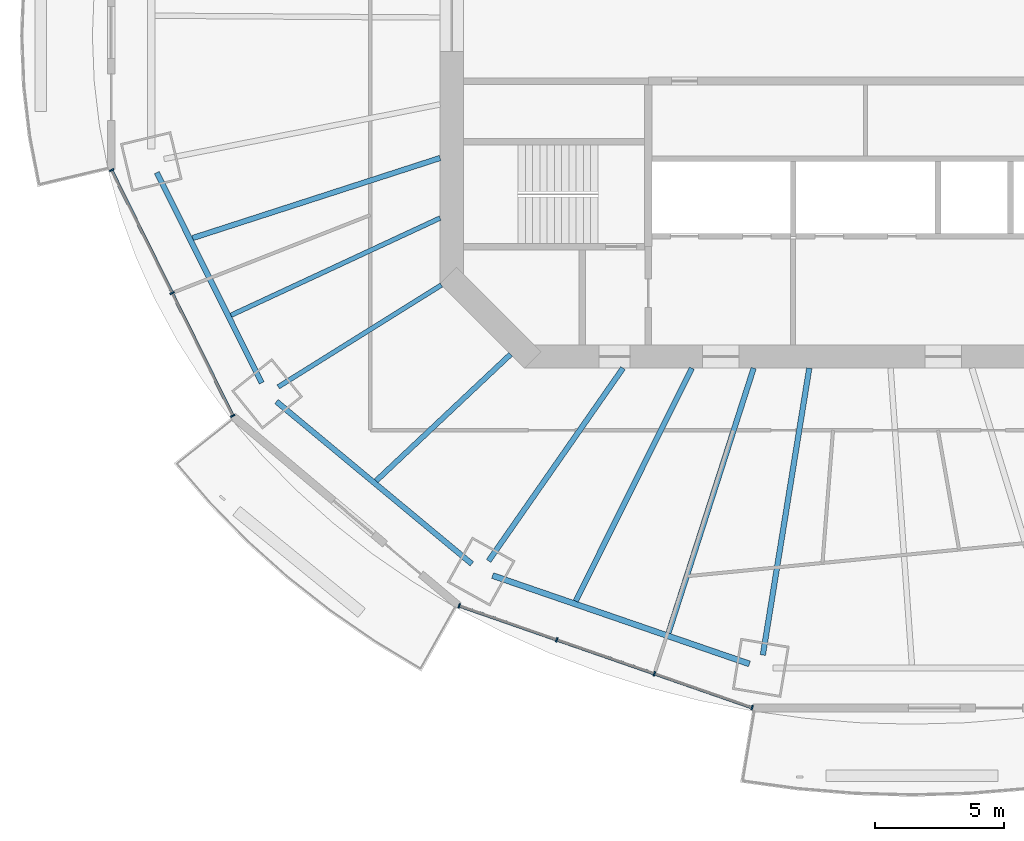
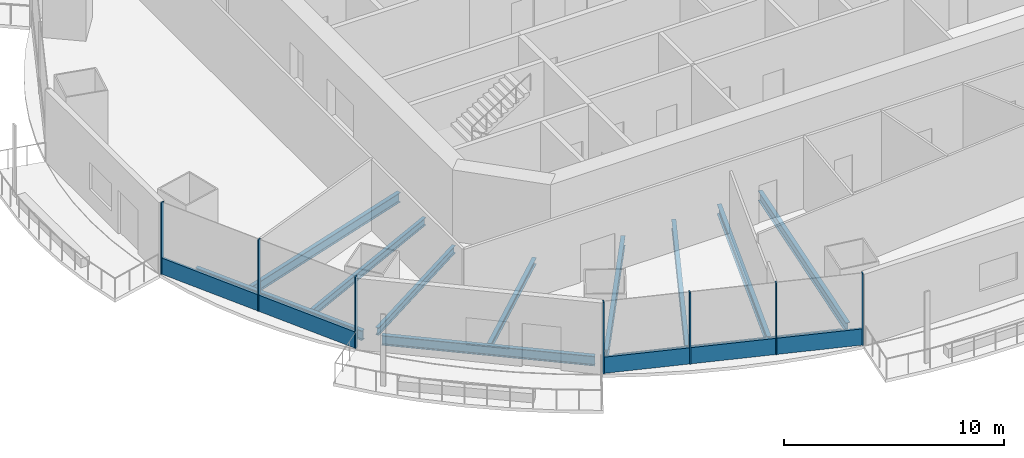
# One storey, part 2 of 21: 11 beams, 9 members, 2 elements without a shape of their own.
"""IFC4 building model written with IfcOpenShell, lengths in metres."""

import ifcopenshell
import ifcopenshell.guid

model = None  # the IFC model being written
_history = None  # IfcOwnerHistory: only IFC2X3 demands one
_inside = {}  # id of a spatial element -> (the spatial element, [elements in it])
_under = {}  # id of a project, library or spatial element -> (it, [spatial elements below it])
_declared = {}  # id of a project -> (the project, [libraries it declares])
_typed = {}  # id of a type object -> (the type object, [elements of that type])
_made_of = {}  # id of a material, layer set ... -> (it, [elements and type objects made of it])


def new_model(schema):
    """Start an empty IFC model of exactly this schema.

    Asked for "IFC4X3", IfcOpenShell would pick the latest addendum, in which some entities
    have other attributes; the version numbers below select the first issue.
    IFC2X3 requires an IfcOwnerHistory on every rooted entity: one is made here for all.
    """
    global model, _history
    if schema == "IFC4X3":
        model = ifcopenshell.file(schema_version=(4, 3, 0, 0))
    else:
        model = ifcopenshell.file(schema=schema)
    _inside.clear()
    _under.clear()
    _declared.clear()
    _typed.clear()
    _made_of.clear()
    _history = None
    if model.schema == "IFC2X3":
        org = make("IfcOrganization", Name="unknown")
        user = make(
            "IfcPersonAndOrganization",
            ThePerson=make("IfcPerson", FamilyName="unknown"),
            TheOrganization=org,
        )
        app = make(
            "IfcApplication",
            ApplicationDeveloper=org,
            Version="unknown",
            ApplicationFullName="unknown",
            ApplicationIdentifier="unknown",
        )
        _history = make(
            "IfcOwnerHistory",
            OwningUser=user,
            OwningApplication=app,
            ChangeAction="ADDED",
            CreationDate=0,
        )
    return model


def make(cls, **values):
    """One entity of the class cls with the attributes given. An attribute that is None is left unset."""
    return model.create_entity(
        cls, **{name: value for name, value in values.items() if value is not None}
    )


def rooted(cls, **values):
    """An entity with a GlobalId (a new one), such as an element, a storey or a relation."""
    return make(cls, GlobalId=ifcopenshell.guid.new(), OwnerHistory=_history, **values)


def si_unit(unit_type, name, prefix=None):
    """IfcSIUnit, for example si_unit("LENGTHUNIT", "METRE", prefix="MILLI")."""
    return make("IfcSIUnit", UnitType=unit_type, Prefix=prefix, Name=name)


def assignment(units):
    """IfcUnitAssignment: the units of a project."""
    return None if units is None else make("IfcUnitAssignment", Units=units)


def point(xyz):
    """IfcCartesianPoint."""
    return None if xyz is None else make("IfcCartesianPoint", Coordinates=xyz)


def direction(xyz):
    """IfcDirection."""
    return None if xyz is None else make("IfcDirection", DirectionRatios=xyz)


def frame(location, z_axis=None, x_axis=None):
    """IfcAxis2Placement3D, a coordinate frame: its origin and axes. An axis left out is left unset."""
    return make(
        "IfcAxis2Placement3D",
        Location=point(location),
        Axis=direction(z_axis),
        RefDirection=direction(x_axis),
    )


def frame_2d(location, x_axis=None):
    """IfcAxis2Placement2D, a coordinate frame in the plane: its origin and x axis."""
    return make(
        "IfcAxis2Placement2D", Location=point(location), RefDirection=direction(x_axis)
    )


def origin():
    """The frame at (0, 0, 0) with its axes left unset."""
    return frame((0.0, 0.0, 0.0))


def origin_2d():
    """The frame at (0, 0) in the plane with its x axis left unset."""
    return frame_2d((0.0, 0.0))


def place(relative_to, where):
    """IfcLocalPlacement: puts the frame where relative to a parent placement (None: the world)."""
    return make(
        "IfcLocalPlacement", PlacementRelTo=relative_to, RelativePlacement=where
    )


def context(
    kind, dimensions, precision=None, world=None, true_north=None, identifier=None
):
    """IfcGeometricRepresentationContext, for example the 3D "Model" context."""
    return make(
        "IfcGeometricRepresentationContext",
        ContextIdentifier=identifier,
        ContextType=kind,
        CoordinateSpaceDimension=dimensions,
        Precision=precision,
        WorldCoordinateSystem=world,
        TrueNorth=true_north,
    )


def subcontext(parent, identifier, kind, view, scale=None):
    """IfcGeometricRepresentationSubContext, for example "Body" below "Model"."""
    return make(
        "IfcGeometricRepresentationSubContext",
        ContextIdentifier=identifier,
        ContextType=kind,
        ParentContext=parent,
        TargetScale=scale,
        TargetView=view,
    )


def project(units=None, contexts=None):
    """IfcProject with its units and contexts."""
    return rooted(
        "IfcProject",
        Name="project",
        RepresentationContexts=contexts,
        UnitsInContext=assignment(units),
    )


def spatial(cls, under=None, at=None, **own):
    """A site, building, storey or space (cls), placed at a placement, below another one or the project."""
    s = rooted(cls, ObjectPlacement=at, **own)
    if under is not None:
        _under.setdefault(under.id(), (under, []))[1].append(s)
    return s


def profile(cls, at=None, kind="AREA", **sizes):
    """A parametric profile (cls). Its sizes go by their IFC names, for example OverallWidth=200.0."""
    return make(cls, ProfileType=kind, Position=at, **sizes)


def rectangle(**sizes):
    """IfcRectangleProfileDef."""
    return profile("IfcRectangleProfileDef", **sizes)


def i_section(**sizes):
    """IfcIShapeProfileDef."""
    return profile("IfcIShapeProfileDef", **sizes)


def extrude(swept, where, along, depth):
    """IfcExtrudedAreaSolid: the profile swept, set in the frame where, extruded along a direction by depth."""
    return make(
        "IfcExtrudedAreaSolid",
        SweptArea=swept,
        Position=where,
        ExtrudedDirection=direction(along),
        Depth=depth,
    )


def shape(context_of_items, identifier, shape_type, items):
    """IfcShapeRepresentation: the items that make up one representation, for example the "Body"."""
    return make(
        "IfcShapeRepresentation",
        ContextOfItems=context_of_items,
        RepresentationIdentifier=identifier,
        RepresentationType=shape_type,
        Items=items,
    )


def material(Name=None, Category=None):
    """IfcMaterial."""
    return make("IfcMaterial", Name=Name, Category=Category)


def material_profile(
    of_material, cross_section, Name=None, Category=None, Priority=None
):
    """IfcMaterialProfile: a cross section and its material."""
    return make(
        "IfcMaterialProfile",
        Name=Name,
        Material=of_material,
        Profile=cross_section,
        Priority=Priority,
        Category=Category,
    )


def profile_set(profiles, Name=None, composite=None):
    """IfcMaterialProfileSet."""
    return make(
        "IfcMaterialProfileSet",
        Name=Name,
        MaterialProfiles=profiles,
        CompositeProfile=composite,
    )


def made_of(thing, what):
    """Note that an element or type object is made of a material, layer set ...; save() writes the relation."""
    if what is not None:
        _made_of.setdefault(what.id(), (what, []))[1].append(thing)
    return thing


def type_object(cls, material=None, **own):
    """A type object (cls), such as IfcWallType, which elements share."""
    return made_of(rooted(cls, **own), material)


def element(
    cls,
    number,
    at=None,
    inside=None,
    cuts=None,
    type_object=None,
    material=None,
    context=None,
    identifier="Body",
    shape_type=None,
    held_by="IfcProductDefinitionShape",
    body=None,
    shapes=None,
    **own,
):
    """One element of the class cls, such as IfcWall. Its Tag is "e" and its number.

    at: its placement. inside: the storey or other place that contains it. cuts: it is an
    opening in that element (IfcRelVoidsElement). A single representation is given by context,
    identifier, shape_type and body (its items); several are given by shapes. held_by: the class
    of the entity that holds the representations. save() writes the other relations.
    """
    e = rooted(cls, Tag="e%d" % number, ObjectPlacement=at, **own)
    if body is not None:
        shapes = [shape(context, identifier, shape_type, body)]
    if shapes is not None:
        e.Representation = make(held_by, Representations=shapes)
    if inside is not None:
        _inside.setdefault(inside.id(), (inside, []))[1].append(e)
    if cuts is not None:
        rooted(
            "IfcRelVoidsElement", RelatingBuildingElement=cuts, RelatedOpeningElement=e
        )
    if type_object is not None:
        _typed.setdefault(type_object.id(), (type_object, []))[1].append(e)
    return made_of(e, material)


def aggregate(whole, parts):
    """IfcRelAggregates: a whole, such as a stair, and the parts it consists of."""
    return rooted("IfcRelAggregates", RelatingObject=whole, RelatedObjects=parts)


def save(model, path):
    """Write the relations noted so far, then the file.

    IfcRelAggregates (storeys below a building ...), IfcRelContainedInSpatialStructure (elements
    in a storey), IfcRelDefinesByType, IfcRelAssociatesMaterial and IfcRelDeclares: one each for
    every whole, place, type object, material and project.
    """
    for whole, parts in _under.values():
        aggregate(whole, parts)
    for where, things in _inside.values():
        rooted(
            "IfcRelContainedInSpatialStructure",
            RelatedElements=things,
            RelatingStructure=where,
        )
    for kind, things in _typed.values():
        rooted("IfcRelDefinesByType", RelatedObjects=things, RelatingType=kind)
    for what, things in _made_of.values():
        rooted("IfcRelAssociatesMaterial", RelatedObjects=things, RelatingMaterial=what)
    for by, libraries in _declared.values():
        rooted("IfcRelDeclares", RelatingContext=by, RelatedDefinitions=libraries)
    model.write(path)


model = new_model("IFC4")

# Units and contexts
model_context = context("Model", 3, precision=1e-05, world=origin(), true_north=direction((0.0, 1.0)))
body_context = subcontext(model_context, "Body", "Model", "MODEL_VIEW")
ifc_project = project(units=[si_unit("LENGTHUNIT", "METRE"), si_unit("AREAUNIT", "SQUARE_METRE"), si_unit("VOLUMEUNIT", "CUBIC_METRE"), si_unit("PLANEANGLEUNIT", "RADIAN"), si_unit("MASSUNIT", "GRAM", prefix="KILO")], contexts=[model_context])

# Site, building, storey
site_placement = place(None, origin())
site = spatial("IfcSite", under=ifc_project, at=site_placement, CompositionType="ELEMENT")
building_placement = place(site_placement, origin())
building = spatial("IfcBuilding", under=site, at=building_placement, Name="Marenthal Gate Tower", CompositionType="ELEMENT")
storey_placement = place(building_placement, frame((0.0, 0.0, 198.39990234375)))
storey = spatial("IfcBuildingStorey", under=building, at=storey_placement, Name="L43", CompositionType="ELEMENT", Elevation=198.39990234375)

# Curtain wall, members
ifc_material_1 = material(Name="Aluminium and glass", Category="aluminium")
curtain_wall_type = type_object("IfcCurtainWallType", Name="Curtain wall typical mid", PredefinedType="NOTDEFINED", material=ifc_material_1)
curtain_wall_1_placement = place(storey_placement, origin())
curtain_wall_1 = element("IfcCurtainWall", 1, at=curtain_wall_1_placement, inside=storey, type_object=curtain_wall_type, Name="Curtain wall L43 bay 9", PredefinedType="NOTDEFINED")
ifc_material_2 = material(Name="Aluminium", Category="aluminium")
ifc_material_profile_1 = material_profile(ifc_material_2, rectangle(XDim=0.179931640625, YDim=0.06005859375, at=origin_2d()), Name="60x180 aluminium mullion")
ifc_profile_set_1 = profile_set([ifc_material_profile_1], Name="Aluminium")
member_type_1 = type_object("IfcMemberType", Name="Mullion 60x180 typical mid", PredefinedType="MULLION", material=ifc_profile_set_1)
member_1_placement = place(storey_placement, frame((-29.152099609375, -5.7958984375, 0.0), z_axis=(0.0, 0.0, 1.0), x_axis=(0.896715617309, 0.442607164057, 0.0)))
member_1 = element("IfcMember", 2, at=member_1_placement, type_object=member_type_1, Name="Mullion L43 bay 9.1", PredefinedType="MULLION", context=body_context, shape_type="SweptSolid", body=[
    extrude(rectangle(XDim=0.179931640625, YDim=0.06005859375, at=origin_2d()), origin(), (0.0, 0.0, 1.0), 3.97021484375),
])
member_2_placement = place(storey_placement, frame((-26.808349609375, -10.54443359375, 0.0), z_axis=(0.0, 0.0, 1.0), x_axis=(0.896715617309, 0.442607164057, 0.0)))
member_2 = element("IfcMember", 3, at=member_2_placement, type_object=member_type_1, Name="Mullion L43 bay 9.2", PredefinedType="MULLION", context=body_context, shape_type="SweptSolid", body=[
    extrude(rectangle(XDim=0.179931640625, YDim=0.06005859375, at=origin_2d()), origin(), (0.0, 0.0, 1.0), 3.97021484375),
])
member_3_placement = place(storey_placement, frame((-24.46435546875, -15.29296875, 0.0), z_axis=(0.0, 0.0, 1.0), x_axis=(0.896715617309, 0.442607164057, 0.0)))
member_3 = element("IfcMember", 4, at=member_3_placement, type_object=member_type_1, Name="Mullion L43 bay 9.3", PredefinedType="MULLION", context=body_context, shape_type="SweptSolid", body=[
    extrude(rectangle(XDim=0.179931640625, YDim=0.06005859375, at=origin_2d()), origin(), (0.0, 0.0, 1.0), 3.97021484375),
])

curtain_wall_2_placement = place(storey_placement, origin())
curtain_wall_2 = element("IfcCurtainWall", 5, at=curtain_wall_2_placement, inside=storey, type_object=curtain_wall_type, Name="Curtain wall L43 bay 11", PredefinedType="NOTDEFINED")
member_4_placement = place(storey_placement, frame((-15.712158203125, -22.6396484375, 0.0), z_axis=(0.0, 0.0, 1.0), x_axis=(0.328332307555, 0.944562277362, 0.0)))
member_4 = element("IfcMember", 6, at=member_4_placement, type_object=member_type_1, Name="Mullion L43 bay 11.1", PredefinedType="MULLION", context=body_context, shape_type="SweptSolid", body=[
    extrude(rectangle(XDim=0.179931640625, YDim=0.06005859375, at=origin_2d()), origin(), (0.0, 0.0, 1.0), 3.97021484375),
])
member_5_placement = place(storey_placement, frame((-11.937255859375, -23.951904296875, 0.0), z_axis=(0.0, 0.0, 1.0), x_axis=(0.328332307555, 0.944562277362, 0.0)))
member_5 = element("IfcMember", 7, at=member_5_placement, type_object=member_type_1, Name="Mullion L43 bay 11.2", PredefinedType="MULLION", context=body_context, shape_type="SweptSolid", body=[
    extrude(rectangle(XDim=0.179931640625, YDim=0.06005859375, at=origin_2d()), origin(), (0.0, 0.0, 1.0), 3.97021484375),
])
member_6_placement = place(storey_placement, frame((-8.16259765625, -25.263916015625, 0.0), z_axis=(0.0, 0.0, 1.0), x_axis=(0.328332307555, 0.944562277362, 0.0)))
member_6 = element("IfcMember", 8, at=member_6_placement, type_object=member_type_1, Name="Mullion L43 bay 11.3", PredefinedType="MULLION", context=body_context, shape_type="SweptSolid", body=[
    extrude(rectangle(XDim=0.179931640625, YDim=0.06005859375, at=origin_2d()), origin(), (0.0, 0.0, 1.0), 3.97021484375),
])
member_7_placement = place(storey_placement, frame((-4.3876953125, -26.576171875, 0.0), z_axis=(0.0, 0.0, 1.0), x_axis=(0.328332307555, 0.944562277362, 0.0)))
member_7 = element("IfcMember", 9, at=member_7_placement, type_object=member_type_1, Name="Mullion L43 bay 11.4", PredefinedType="MULLION", context=body_context, shape_type="SweptSolid", body=[
    extrude(rectangle(XDim=0.179931640625, YDim=0.06005859375, at=origin_2d()), origin(), (0.0, 0.0, 1.0), 3.97021484375),
])

# Member
ifc_material_3 = material(Name="Aluminium", Category="aluminium")
ifc_material_profile_2 = material_profile(ifc_material_3, rectangle(XDim=0.1201171875, YDim=0.89990234375, at=origin_2d()), Name="120x900 aluminium transom")
ifc_profile_set_2 = profile_set([ifc_material_profile_2], Name="Aluminium")
member_type_2 = type_object("IfcMemberType", Name="Transom 120x900 typical mid", PredefinedType="USERDEFINED", material=ifc_profile_set_2)
member_8_placement = place(storey_placement, frame((-29.138916015625, -5.82275390625, 0.4501953125), z_axis=(0.442608192254, -0.896715109804, 0.0), x_axis=(0.896715109804, 0.442608192254, 0.0)))
member_8 = element("IfcMember", 10, at=member_8_placement, type_object=member_type_2, Name="Transom L43 bay 9", ObjectType="TRANSOM", PredefinedType="USERDEFINED", context=body_context, shape_type="SweptSolid", body=[
    extrude(rectangle(XDim=0.1201171875, YDim=0.89990234375, at=origin_2d()), origin(), (0.0, 0.0, 1.0), 10.531005859375),
])

aggregate(curtain_wall_1, [member_1, member_2, member_3, member_8])

member_9_placement = place(storey_placement, frame((-15.683837890625, -22.6494140625, 0.4501953125), z_axis=(0.944561661675, -0.328334078787, 0.0), x_axis=(0.328334078787, 0.944561661675, 0.0)))
member_9 = element("IfcMember", 11, at=member_9_placement, type_object=member_type_2, Name="Transom L43 bay 11", ObjectType="TRANSOM", PredefinedType="USERDEFINED", context=body_context, shape_type="SweptSolid", body=[
    extrude(rectangle(XDim=0.1201171875, YDim=0.89990234375, at=origin_2d()), origin(), (0.0, 0.0, 1.0), 11.92919921875),
])

aggregate(curtain_wall_2, [member_4, member_5, member_6, member_7, member_9])

# Beams
ifc_material_4 = material(Name="Steel S355", Category="steel")
ifc_material_profile_3 = material_profile(ifc_material_4, i_section(OverallWidth=0.205078125, OverallDepth=0.35302734375, WebThickness=0.009521484375, FlangeThickness=0.016845703125, FilletRadius=0.014892578125, at=origin_2d()), Name="W360X79")
ifc_profile_set_3 = profile_set([ifc_material_profile_3], Name="Steel S355")
beam_type_1 = type_object("IfcBeamType", Name="W360X79 beam", PredefinedType="BEAM", material=ifc_profile_set_3)
beam_1_placement = place(storey_placement, frame((-18.92236328125, -17.805908203125, -0.3564453125), z_axis=(0.728272270836, 0.685287895363, 0.0), x_axis=(-0.685287895363, 0.728272270836, 0.0)))
element("IfcBeam", 12, at=beam_1_placement, inside=storey, type_object=beam_type_1, Name="BM-L43-31", PredefinedType="BEAM", context=body_context, shape_type="SweptSolid", body=[
    extrude(i_section(OverallWidth=0.205078125, OverallDepth=0.35302734375, WebThickness=0.009521484375, FlangeThickness=0.016845703125, FilletRadius=0.014892578125, at=origin_2d()), origin(), (0.0, 0.0, 1.0), 7.139404296875),
])
ifc_material_5 = material(Name="Steel S355", Category="steel")
ifc_material_profile_4 = material_profile(ifc_material_5, i_section(OverallWidth=0.180908203125, OverallDepth=0.4169921875, WebThickness=0.010986328125, FlangeThickness=0.018310546875, FilletRadius=0.01025390625, at=origin_2d()), Name="W410X85")
ifc_profile_set_4 = profile_set([ifc_material_profile_4], Name="Steel S355")
beam_type_2 = type_object("IfcBeamType", Name="W410X85 beam", PredefinedType="BEAM", material=ifc_profile_set_4)
beam_2_placement = place(storey_placement, frame((-22.707275390625, -14.17333984375, -0.388427734375), z_axis=(0.848320973647, 0.529482318562, 0.0), x_axis=(-0.529482318562, 0.848320973647, 0.0)))
element("IfcBeam", 13, at=beam_2_placement, inside=storey, type_object=beam_type_2, Name="BM-L43-10", PredefinedType="BEAM", context=body_context, shape_type="SweptSolid", body=[
    extrude(i_section(OverallWidth=0.180908203125, OverallDepth=0.4169921875, WebThickness=0.010986328125, FlangeThickness=0.018310546875, FilletRadius=0.01025390625, at=origin_2d()), origin(), (0.0, 0.0, 1.0), 7.43505859375),
])
beam_3_placement = place(storey_placement, frame((-24.533935546875, -11.403564453125, -0.388427734375), z_axis=(0.9068250779, 0.4215071507, 0.0), x_axis=(-0.4215071507, 0.9068250779, 0.0)))
element("IfcBeam", 14, at=beam_3_placement, inside=storey, type_object=beam_type_2, Name="BM-L43-30", PredefinedType="BEAM", context=body_context, shape_type="SweptSolid", body=[
    extrude(i_section(OverallWidth=0.180908203125, OverallDepth=0.4169921875, WebThickness=0.010986328125, FlangeThickness=0.018310546875, FilletRadius=0.01025390625, at=origin_2d()), origin(), (0.0, 0.0, 1.0), 8.91455078125),
])
ifc_material_6 = material(Name="Steel S355", Category="steel")
ifc_material_profile_5 = material_profile(ifc_material_6, i_section(OverallWidth=0.2099609375, OverallDepth=0.535888671875, WebThickness=0.010986328125, FlangeThickness=0.017333984375, FilletRadius=0.0126953125, at=origin_2d()), Name="W530X101")
ifc_profile_set_5 = profile_set([ifc_material_profile_5], Name="Steel S355")
beam_type_3 = type_object("IfcBeamType", Name="W530X101 beam", PredefinedType="BEAM", material=ifc_profile_set_5)
beam_4_placement = place(storey_placement, frame((-14.57373046875, -20.901611328125, -0.447998046875), z_axis=(0.571957090285, 0.820283540535, 0.0), x_axis=(-0.820283540535, 0.571957090285, 0.0)))
element("IfcBeam", 15, at=beam_4_placement, inside=storey, type_object=beam_type_3, Name="BM-L43-11", PredefinedType="BEAM", context=body_context, shape_type="SweptSolid", body=[
    extrude(i_section(OverallWidth=0.2099609375, OverallDepth=0.535888671875, WebThickness=0.010986328125, FlangeThickness=0.017333984375, FilletRadius=0.0126953125, at=origin_2d()), origin(), (0.0, 0.0, 1.0), 9.084228515625),
])
beam_5_placement = place(storey_placement, frame((-26.02099609375, -8.42138671875, -0.447998046875), z_axis=(0.951418383644, 0.30790105434, 0.0), x_axis=(-0.30790105434, 0.951418383644, 0.0)))
element("IfcBeam", 16, at=beam_5_placement, inside=storey, type_object=beam_type_3, Name="BM-L43-29", PredefinedType="BEAM", context=body_context, shape_type="SweptSolid", body=[
    extrude(i_section(OverallWidth=0.2099609375, OverallDepth=0.535888671875, WebThickness=0.010986328125, FlangeThickness=0.017333984375, FilletRadius=0.0126953125, at=origin_2d()), origin(), (0.0, 0.0, 1.0), 10.059814453125),
])
beam_6_placement = place(storey_placement, frame((-11.207275390625, -22.452880859375, -0.447998046875), z_axis=(0.446611768223, 0.894727851631, 0.0), x_axis=(-0.894727851631, 0.446611768223, 0.0)))
element("IfcBeam", 17, at=beam_6_placement, inside=storey, type_object=beam_type_3, Name="BM-L43-32", PredefinedType="BEAM", context=body_context, shape_type="SweptSolid", body=[
    extrude(i_section(OverallWidth=0.2099609375, OverallDepth=0.535888671875, WebThickness=0.010986328125, FlangeThickness=0.017333984375, FilletRadius=0.0126953125, at=origin_2d()), origin(), (0.0, 0.0, 1.0), 10.062255859375),
])
beam_7_placement = place(storey_placement, frame((-7.619873046875, -23.687255859375, -0.447998046875), z_axis=(0.30623257403, 0.951956727275, 0.0), x_axis=(-0.951956727275, 0.30623257403, 0.0)))
element("IfcBeam", 18, at=beam_7_placement, inside=storey, type_object=beam_type_3, Name="BM-L43-33", PredefinedType="BEAM", context=body_context, shape_type="SweptSolid", body=[
    extrude(i_section(OverallWidth=0.2099609375, OverallDepth=0.535888671875, WebThickness=0.010986328125, FlangeThickness=0.017333984375, FilletRadius=0.0126953125, at=origin_2d()), origin(), (0.0, 0.0, 1.0), 10.75390625),
])
ifc_material_7 = material(Name="Steel S355", Category="steel")
ifc_material_profile_6 = material_profile(ifc_material_7, i_section(OverallWidth=0.2119140625, OverallDepth=0.5439453125, WebThickness=0.01318359375, FlangeThickness=0.021240234375, FilletRadius=0.0126953125, at=origin_2d()), Name="W530X123")
ifc_profile_set_6 = profile_set([ifc_material_profile_6], Name="Steel S355")
beam_type_4 = type_object("IfcBeamType", Name="W530X123 beam", PredefinedType="BEAM", material=ifc_profile_set_6)
beam_8_placement = place(storey_placement, frame((-3.97119140625, -24.542724609375, -0.451904296875), z_axis=(0.159732433906, 0.987160346427, 0.0), x_axis=(-0.987160346427, 0.159732433906, 0.0)))
element("IfcBeam", 19, at=beam_8_placement, inside=storey, type_object=beam_type_4, Name="BM-L43-12", PredefinedType="BEAM", context=body_context, shape_type="SweptSolid", body=[
    extrude(i_section(OverallWidth=0.2119140625, OverallDepth=0.5439453125, WebThickness=0.01318359375, FlangeThickness=0.021240234375, FilletRadius=0.0126953125, at=origin_2d()), origin(), (0.0, 0.0, 1.0), 11.237060546875),
])
beam_9_placement = place(storey_placement, frame((-27.40380859375, -5.885986328125, -0.451904296875), z_axis=(0.446246270187, -0.894910200157, 0.0), x_axis=(0.894910200157, 0.446246270187, 0.0)))
element("IfcBeam", 20, at=beam_9_placement, inside=storey, type_object=beam_type_4, Name="BM-L43-49", PredefinedType="BEAM", context=body_context, shape_type="SweptSolid", body=[
    extrude(i_section(OverallWidth=0.2119140625, OverallDepth=0.5439453125, WebThickness=0.01318359375, FlangeThickness=0.021240234375, FilletRadius=0.0126953125, at=origin_2d()), origin(), (0.0, 0.0, 1.0), 9.08837890625),
])
beam_10_placement = place(storey_placement, frame((-22.7763671875, -14.741943359375, -0.451904296875), z_axis=(0.769206538699, -0.639000235386, 0.0), x_axis=(0.639000235386, 0.769206538699, 0.0)))
element("IfcBeam", 21, at=beam_10_placement, inside=storey, type_object=beam_type_4, Name="BM-L43-50", PredefinedType="BEAM", context=body_context, shape_type="SweptSolid", body=[
    extrude(i_section(OverallWidth=0.2119140625, OverallDepth=0.5439453125, WebThickness=0.01318359375, FlangeThickness=0.021240234375, FilletRadius=0.0126953125, at=origin_2d()), origin(), (0.0, 0.0, 1.0), 9.8212890625),
])
ifc_material_8 = material(Name="Steel S355", Category="steel")
ifc_material_profile_7 = material_profile(ifc_material_8, i_section(OverallWidth=0.22900390625, OverallDepth=0.612060546875, WebThickness=0.011962890625, FlangeThickness=0.01953125, FilletRadius=0.0126953125, at=origin_2d()), Name="W610X125")
ifc_profile_set_7 = profile_set([ifc_material_profile_7], Name="Steel S355")
beam_type_5 = type_object("IfcBeamType", Name="W610X125 beam", PredefinedType="BEAM", material=ifc_profile_set_7)
beam_11_placement = place(storey_placement, frame((-14.423095703125, -21.46728515625, -0.48583984375), z_axis=(0.945582956363, -0.325381119053, 0.0), x_axis=(0.325381119053, 0.945582956363, 0.0)))
element("IfcBeam", 22, at=beam_11_placement, inside=storey, type_object=beam_type_5, Name="BM-L43-51", PredefinedType="BEAM", context=body_context, shape_type="SweptSolid", body=[
    extrude(i_section(OverallWidth=0.22900390625, OverallDepth=0.612060546875, WebThickness=0.011962890625, FlangeThickness=0.01953125, FilletRadius=0.0126953125, at=origin_2d()), origin(), (0.0, 0.0, 1.0), 10.50537109375),
])

save(model, "model.ifc")
